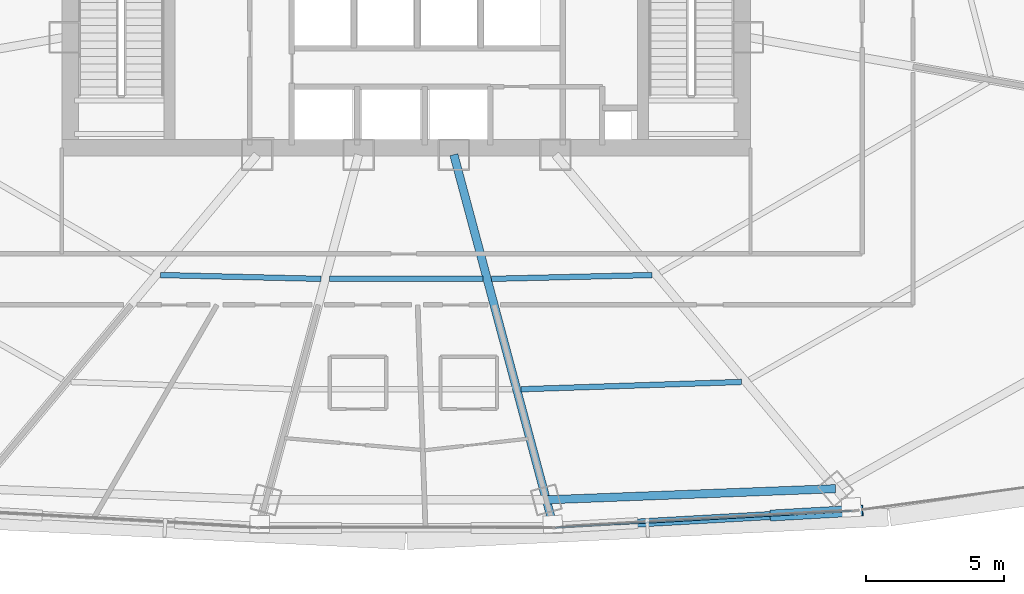
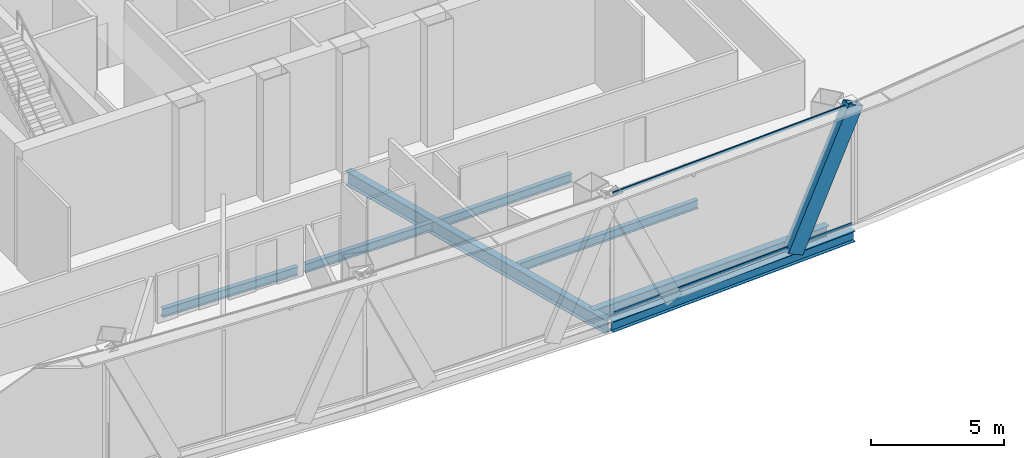
# One storey, part 13 of 40: 7 beams, 3 members, 1 element without a shape of its own.
"""IFC4 building model written with IfcOpenShell, lengths in metres."""

from ifc_helpers import new_model, si_unit, direction, frame, origin, origin_2d, place, context, subcontext, project, spatial, hollow_rectangle, i_section, extrude, source, transform, mapped, material, layer, layer_set, material_profile, profile_set, type_object, element, aggregate, save


model = new_model("IFC4")

# Units and contexts
model_context = context("Model", 3, precision=1e-05, world=origin(), true_north=direction((0.0, 1.0)))
body_context = subcontext(model_context, "Body", "Model", "MODEL_VIEW")
ifc_project = project(units=[si_unit("LENGTHUNIT", "METRE"), si_unit("AREAUNIT", "SQUARE_METRE"), si_unit("VOLUMEUNIT", "CUBIC_METRE"), si_unit("PLANEANGLEUNIT", "RADIAN"), si_unit("MASSUNIT", "GRAM", prefix="KILO"), si_unit("THERMODYNAMICTEMPERATUREUNIT", "KELVIN"), si_unit("POWERUNIT", "WATT")], contexts=[model_context])

# Site, building, storey
site_placement = place(None, origin())
site = spatial("IfcSite", under=ifc_project, at=site_placement, CompositionType="ELEMENT")
building_placement = place(site_placement, origin())
building = spatial("IfcBuilding", under=site, at=building_placement, Name="Yunzhuo Pagoda Commons", CompositionType="ELEMENT")
storey_placement = place(building_placement, frame((0.0, 0.0, 170.31005859375)))
storey = spatial("IfcBuildingStorey", under=building, at=storey_placement, Name="L43", CompositionType="ELEMENT", Elevation=170.31005859375)

# Beams
ifc_material_1 = material(Name="Structural steel Q355B", Category="steel")
ifc_material_profile_1 = material_profile(ifc_material_1, i_section(OverallWidth=0.300048828125, OverallDepth=0.64990234375, WebThickness=0.012939453125, FlangeThickness=0.02197265625, at=origin_2d()), Name="Structural steel Q355B")
ifc_profile_set_1 = profile_set([ifc_material_profile_1], Name="Structural steel Q355B")
beam_type_1 = type_object("IfcBeamType", Name="B-RG2 Beam HN 650x300x13x22", PredefinedType="BEAM", material=ifc_profile_set_1)
shared_shape_1 = source(origin(), body_context, "Body", "SweptSolid", [
    extrude(i_section(OverallWidth=0.300048828125, OverallDepth=0.64990234375, WebThickness=0.012939453125, FlangeThickness=0.02197265625, at=origin_2d()), origin(), (0.0, 0.0, 1.0), 10.5078125),
])
beam_1_placement = place(storey_placement, frame((53.085205078125, 14.7216796875, -0.5849609375), z_axis=(0.999258632812, 0.03849915259, 0.0), x_axis=(-0.03849915259, 0.999258632812, 0.0)))
element("IfcBeam", 1, at=beam_1_placement, inside=storey, type_object=beam_type_1, Name="L43 column-ring beam 3", PredefinedType="BEAM", context=body_context, shape_type="MappedRepresentation", body=[
    mapped(shared_shape_1, transform((0.0, 0.0, 0.0), scale=1.0)),
])
ifc_material_profile_2 = material_profile(ifc_material_1, i_section(OverallWidth=0.199951171875, OverallDepth=0.39990234375, WebThickness=0.008056640625, FlangeThickness=0.012939453125, at=origin_2d()), Name="Structural steel Q355B")
ifc_profile_set_2 = profile_set([ifc_material_profile_2], Name="Structural steel Q355B")
beam_type_2 = type_object("IfcBeamType", Name="B-JS1 Joist HN 400x200x8x13", PredefinedType="JOIST", material=ifc_profile_set_2)
shared_shape_2 = source(origin(), body_context, "Body", "SweptSolid", [
    extrude(i_section(OverallWidth=0.199951171875, OverallDepth=0.39990234375, WebThickness=0.008056640625, FlangeThickness=0.012939453125, at=origin_2d()), origin(), (0.0, 0.0, 1.0), 5.821533203125),
])
for number, where, z_axis, x_axis, name in (
    (2, (39.08447265625, 22.881591796875, -0.4599609375), (0.999718239795, -0.023736912649, 0.0), (0.023736912649, 0.999718239795, 0.0), "L43 composite ring joist 1.1"),
    (3, (51.095703125, 22.743408203125, -0.4599609375), (0.999718239795, 0.023736912649, 0.0), (-0.023736912649, 0.999718239795, 0.0), "L43 composite ring joist 1.3"),
):
    element("IfcBeam", number, at=place(storey_placement, frame(where, z_axis=z_axis, x_axis=x_axis)), inside=storey, type_object=beam_type_2, Name=name, PredefinedType="JOIST", context=body_context, shape_type="MappedRepresentation", body=[
        mapped(shared_shape_2, transform((0.0, 0.0, 0.0), scale=1.0)),
    ])
shared_shape_3 = source(origin(), body_context, "Body", "SweptSolid", [
    extrude(i_section(OverallWidth=0.199951171875, OverallDepth=0.39990234375, WebThickness=0.008056640625, FlangeThickness=0.012939453125, at=origin_2d()), origin(), (0.0, 0.0, 1.0), 8.00537109375),
])
beam_2_placement = place(storey_placement, frame((52.169921875, 18.73583984375, -0.4599609375), z_axis=(0.999453403952, 0.033058937199, 0.0), x_axis=(-0.033058937199, 0.999453403952, 0.0)))
element("IfcBeam", 4, at=beam_2_placement, inside=storey, type_object=beam_type_2, Name="L43 composite ring joist 2.3", PredefinedType="JOIST", context=body_context, shape_type="MappedRepresentation", body=[
    mapped(shared_shape_3, transform((0.0, 0.0, 0.0), scale=1.0)),
])
shared_shape_4 = source(origin(), body_context, "Body", "SweptSolid", [
    extrude(i_section(OverallWidth=0.199951171875, OverallDepth=0.39990234375, WebThickness=0.008056640625, FlangeThickness=0.012939453125, at=origin_2d()), origin(), (0.0, 0.0, 1.0), 5.5556640625),
])
beam_3_placement = place(storey_placement, frame((45.22216796875, 22.73974609375, -0.4599609375), z_axis=(1.0, 0.0, 0.0), x_axis=(0.0, 1.0, 0.0)))
element("IfcBeam", 5, at=beam_3_placement, inside=storey, type_object=beam_type_2, Name="L43 composite ring joist 1.2", PredefinedType="JOIST", context=body_context, shape_type="MappedRepresentation", body=[
    mapped(shared_shape_4, transform((0.0, 0.0, 0.0), scale=1.0)),
])
shared_shape_5 = source(origin(), body_context, "Body", "SweptSolid", [
    extrude(i_section(OverallWidth=0.300048828125, OverallDepth=0.64990234375, WebThickness=0.012939453125, FlangeThickness=0.02197265625, at=origin_2d()), origin(), (0.0, 0.0, 1.0), 13.865478515625),
])
beam_4_placement = place(storey_placement, frame((53.317138671875, 13.85693359375, -0.5849609375), z_axis=(-0.258816469176, 0.965926516503, 0.0), x_axis=(-0.965926516503, -0.258816469176, 0.0)))
element("IfcBeam", 6, at=beam_4_placement, inside=storey, type_object=beam_type_1, Name="L43 radial floor girder F1C3", PredefinedType="BEAM", context=body_context, shape_type="MappedRepresentation", body=[
    mapped(shared_shape_5, transform((0.0, 0.0, 0.0), scale=1.0)),
])
ifc_material_profile_3 = material_profile(ifc_material_1, i_section(OverallWidth=0.300048828125, OverallDepth=0.488037109375, WebThickness=0.010986328125, FlangeThickness=0.01806640625, at=origin_2d()), Name="Structural steel Q355B")
ifc_profile_set_3 = profile_set([ifc_material_profile_3], Name="Structural steel Q355B")
beam_type_3 = type_object("IfcBeamType", Name="B-SP1 Beam HM 488x300x11x18", PredefinedType="BEAM", material=ifc_profile_set_3)
shared_shape_6 = source(origin(), body_context, "Body", "SweptSolid", [
    extrude(i_section(OverallWidth=0.300048828125, OverallDepth=0.488037109375, WebThickness=0.010986328125, FlangeThickness=0.01806640625, at=origin_2d()), origin(), (0.0, 0.0, 1.0), 10.920166015625),
])
beam_5_placement = place(storey_placement, frame((53.357177734375, 13.707275390625, -0.504150390625), z_axis=(0.998412941388, 0.056316946557, 0.0), x_axis=(-0.056316946557, 0.998412941388, 0.0)))
element("IfcBeam", 7, at=beam_5_placement, inside=storey, type_object=beam_type_3, Name="L43 facade edge spandrel beam F1.3", PredefinedType="BEAM", context=body_context, shape_type="MappedRepresentation", body=[
    mapped(shared_shape_6, transform((0.0, 0.0, 0.0), scale=1.0)),
])

# Member
ifc_material_profile_4 = material_profile(ifc_material_1, hollow_rectangle(XDim=0.39990234375, YDim=0.719970703125, WallThickness=0.02392578125, at=origin_2d()), Name="Structural steel Q355B")
ifc_profile_set_4 = profile_set([ifc_material_profile_4], Name="Structural steel Q355B")
member_type_1 = type_object("IfcMemberType", Name="M-DL2 Brace BOX 720x400x24", PredefinedType="BRACE", material=ifc_profile_set_4)
shared_shape_7 = source(origin(), body_context, "Body", "SweptSolid", [
    extrude(hollow_rectangle(XDim=0.39990234375, YDim=0.719970703125, WallThickness=0.02392578125, at=origin_2d()), origin(), (0.0, 0.0, 1.0), 6.4375),
])
member_1_placement = place(storey_placement, frame((61.5341796875, 14.168212890625, -0.260009765625), z_axis=(0.423432776529, 0.023930683564, 0.905611399081), x_axis=(-0.056425856327, 0.998406792213, 0.0)))
element("IfcMember", 8, at=member_1_placement, inside=storey, type_object=member_type_1, Name="L43 facade diamond brace F1.3R", PredefinedType="BRACE", context=body_context, shape_type="MappedRepresentation", body=[
    mapped(shared_shape_7, transform((0.0, 0.0, 0.0), scale=1.0)),
])

# Curtain wall, members
ifc_material_2 = material(Name="Anodized aluminium 6063-T6", Category="aluminium")
ifc_layer = layer(ifc_material_2, 0.14990234375)
ifc_layer_set = layer_set([ifc_layer], Name="Anodized aluminium 6063-T6")
curtain_wall_type = type_object("IfcCurtainWallType", Name="CW-MID Mid-Zone Ribbon Curtain Wall", PredefinedType="NOTDEFINED", material=ifc_layer_set)
curtain_wall_placement = place(storey_placement, origin())
curtain_wall = element("IfcCurtainWall", 9, at=curtain_wall_placement, inside=storey, type_object=curtain_wall_type, Name="L43 curtain wall CW-L43-F1B4", PredefinedType="NOTDEFINED")
ifc_material_profile_5 = material_profile(ifc_material_2, hollow_rectangle(XDim=0.054931640625, YDim=0.1298828125, WallThickness=0.00341796875, at=origin_2d()), Name="Anodized aluminium 6063-T6")
ifc_profile_set_5 = profile_set([ifc_material_profile_5], Name="Anodized aluminium 6063-T6")
member_type_2 = type_object("IfcMemberType", Name="CW-MID-T Transom RHS 130x55x3.5", PredefinedType="USERDEFINED", material=ifc_profile_set_5)
shared_shape_8 = source(origin(), body_context, "Body", "SweptSolid", [
    extrude(hollow_rectangle(XDim=0.054931640625, YDim=0.1298828125, WallThickness=0.00341796875, at=origin_2d()), origin(), (0.0, 0.0, 1.0), 10.80029296875),
])
member_2_placement = place(storey_placement, frame((53.4169921875, 13.710693359375, 0.02734375), z_axis=(0.998413399978, 0.05630881587, 0.0), x_axis=(-0.05630881587, 0.998413399978, 0.0)))
member_2 = element("IfcMember", 10, at=member_2_placement, type_object=member_type_2, Name="CW transom 1.1", ObjectType="TRANSOM", PredefinedType="USERDEFINED", context=body_context, shape_type="MappedRepresentation", body=[
    mapped(shared_shape_8, transform((0.0, 0.0, 0.0), scale=1.0)),
])
member_3_placement = place(storey_placement, frame((53.4169921875, 13.710693359375, 5.54248046875), z_axis=(0.998413399978, 0.05630881587, 0.0), x_axis=(-0.05630881587, 0.998413399978, 0.0)))
member_3 = element("IfcMember", 11, at=member_3_placement, type_object=member_type_2, Name="CW transom 1.2", ObjectType="TRANSOM", PredefinedType="USERDEFINED", context=body_context, shape_type="MappedRepresentation", body=[
    mapped(shared_shape_8, transform((0.0, 0.0, 0.0), scale=1.0)),
])
aggregate(curtain_wall, [member_2, member_3])

save(model, "model.ifc")
